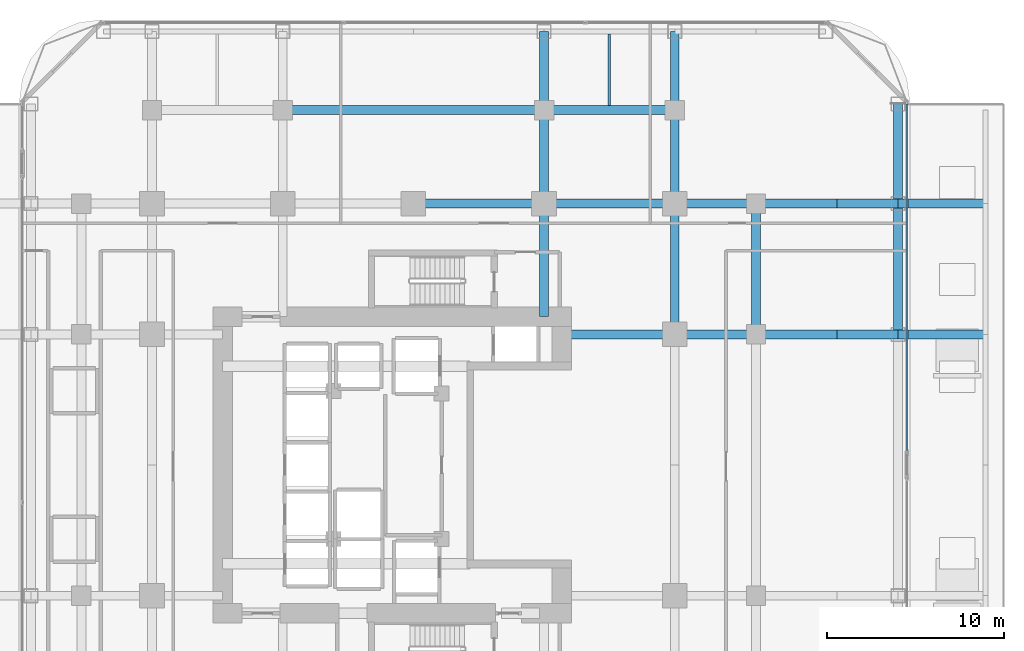
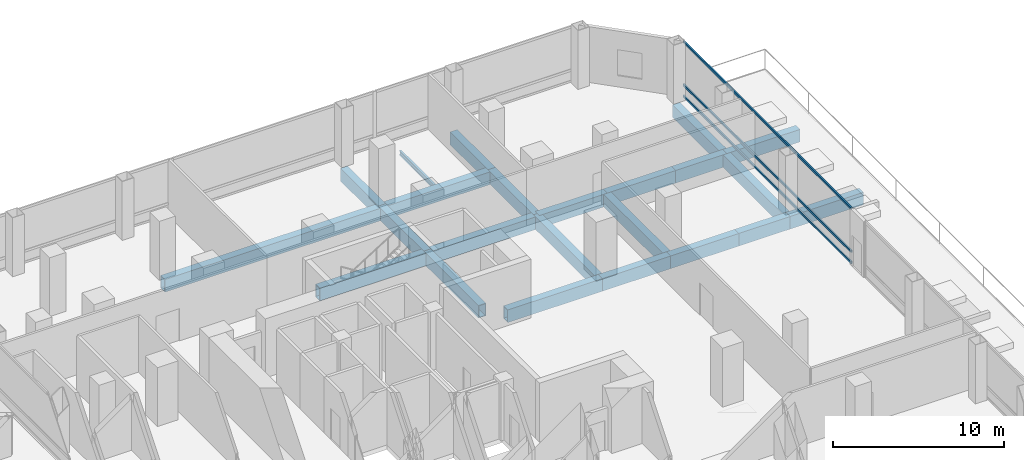
# One storey, part 16 of 29: 23 beams, 3 members, 1 element without a shape of its own.
"""IFC4 building model written with IfcOpenShell, lengths in metres."""

from ifc_helpers import new_model, si_unit, direction, frame, origin, origin_2d, place, context, subcontext, project, spatial, hollow_rectangle, i_section, extrude, material, layer, layer_set, material_profile, profile_set, type_object, element, aggregate, save


model = new_model("IFC4")

# Units and contexts
model_context = context("Model", 3, precision=1e-05, world=origin(), true_north=direction((0.0, 1.0)))
body_context = subcontext(model_context, "Body", "Model", "MODEL_VIEW")
ifc_project = project(units=[si_unit("LENGTHUNIT", "METRE"), si_unit("AREAUNIT", "SQUARE_METRE"), si_unit("VOLUMEUNIT", "CUBIC_METRE"), si_unit("PLANEANGLEUNIT", "RADIAN"), si_unit("MASSUNIT", "GRAM", prefix="KILO")], contexts=[model_context])

# Site, building, storey
site_placement = place(None, origin())
site = spatial("IfcSite", under=ifc_project, at=site_placement, CompositionType="ELEMENT")
building_placement = place(site_placement, origin())
building = spatial("IfcBuilding", under=site, at=building_placement, Name="Khorvyn Point Tower", CompositionType="ELEMENT")
storey_placement = place(building_placement, frame((0.0, 0.0, 26.39990234375)))
storey = spatial("IfcBuildingStorey", under=building, at=storey_placement, Name="L07", CompositionType="ELEMENT", Elevation=26.39990234375)

# Curtain wall, members
ifc_material_1 = material(Name="Anodised aluminium 6063-T6 and laminated Low-E glass", Category="aluminium")
ifc_layer = layer(ifc_material_1, 0.18994140625)
ifc_layer_set = layer_set([ifc_layer], Name="Stick-Built Finned Residential Curtain Wall CW-SYS-02")
curtain_wall_type = type_object("IfcCurtainWallType", Name="Stick-Built Finned Residential Curtain Wall CW-SYS-02", PredefinedType="NOTDEFINED", material=ifc_layer_set)
curtain_wall_placement = place(storey_placement, origin())
curtain_wall = element("IfcCurtainWall", 1, at=curtain_wall_placement, inside=storey, type_object=curtain_wall_type, Name="Curtain Wall", PredefinedType="NOTDEFINED")
ifc_material_2 = material(Name="Anodised aluminium 6063-T6", Category="aluminium")
ifc_material_profile_1 = material_profile(ifc_material_2, hollow_rectangle(XDim=0.10009765625, YDim=0.159912109375, WallThickness=0.00439453125, at=origin_2d()))
ifc_profile_set_1 = profile_set([ifc_material_profile_1], Name="Anodised aluminium 6063-T6 ALU-TRN-100x160")
member_type = type_object("IfcMemberType", Name="Anodised Aluminium 6063-T6 Transom ALU-TRN-100x160", PredefinedType="USERDEFINED", material=ifc_profile_set_1)
member_1_placement = place(storey_placement, frame((27.949951171875, 20.449951171875, 0.050048828125), z_axis=(0.0, -1.0, 0.0), x_axis=(1.0, 0.0, 0.0)))
member_1 = element("IfcMember", 2, at=member_1_placement, type_object=member_type, Name="Transom", ObjectType="TRANSOM", PredefinedType="USERDEFINED", context=body_context, shape_type="SweptSolid", body=[
    extrude(hollow_rectangle(XDim=0.10009765625, YDim=0.159912109375, WallThickness=0.00439453125, at=origin_2d()), origin(), (0.0, 0.0, 1.0), 19.6298828125),
])
member_2_placement = place(storey_placement, frame((27.949951171875, 20.449951171875, 0.85009765625), z_axis=(0.0, -1.0, 0.0), x_axis=(1.0, 0.0, 0.0)))
member_2 = element("IfcMember", 3, at=member_2_placement, type_object=member_type, Name="Transom", ObjectType="TRANSOM", PredefinedType="USERDEFINED", context=body_context, shape_type="SweptSolid", body=[
    extrude(hollow_rectangle(XDim=0.10009765625, YDim=0.159912109375, WallThickness=0.00439453125, at=origin_2d()), origin(), (0.0, 0.0, 1.0), 19.6298828125),
])
member_3_placement = place(storey_placement, frame((27.949951171875, 20.449951171875, 3.93017578125), z_axis=(0.0, -1.0, 0.0), x_axis=(1.0, 0.0, 0.0)))
member_3 = element("IfcMember", 4, at=member_3_placement, type_object=member_type, Name="Transom", ObjectType="TRANSOM", PredefinedType="USERDEFINED", context=body_context, shape_type="SweptSolid", body=[
    extrude(hollow_rectangle(XDim=0.10009765625, YDim=0.159912109375, WallThickness=0.00439453125, at=origin_2d()), origin(), (0.0, 0.0, 1.0), 19.6298828125),
])
aggregate(curtain_wall, [member_1, member_2, member_3])

# Beams
ifc_material_3 = material(Name="Steel S355", Category="steel")
ifc_material_profile_2 = material_profile(ifc_material_3, i_section(OverallWidth=0.14990234375, OverallDepth=0.300048828125, WebThickness=0.006591796875, FlangeThickness=0.009033203125, at=origin_2d()))
ifc_profile_set_2 = profile_set([ifc_material_profile_2], Name="Steel S355 H300x150x6.5x9")
beam_type_1 = type_object("IfcBeamType", Name="Steel S355 Joist H300x150x6.5x9", PredefinedType="JOIST", material=ifc_profile_set_2)
beam_1_placement = place(storey_placement, frame((11.10009765625, 20.35009765625, -0.469970703125), z_axis=(0.0, 1.0, 0.0), x_axis=(-1.0, 0.0, 0.0)))
element("IfcBeam", 5, at=beam_1_placement, inside=storey, type_object=beam_type_1, Name="Beam", PredefinedType="JOIST", context=body_context, shape_type="SweptSolid", body=[
    extrude(i_section(OverallWidth=0.14990234375, OverallDepth=0.300048828125, WebThickness=0.006591796875, FlangeThickness=0.009033203125, at=origin_2d()), origin(), (0.0, 0.0, 1.0), 4.0498046875),
])
ifc_material_4 = material(Name="Steel S450", Category="steel")
ifc_material_profile_3 = material_profile(ifc_material_4, hollow_rectangle(XDim=0.5, YDim=0.89990234375, WallThickness=0.0400390625, at=origin_2d()))
ifc_profile_set_3 = profile_set([ifc_material_profile_3], Name="Steel S450 BOX900x500x40")
beam_type_2 = type_object("IfcBeamType", Name="Steel S450 Beam BOX900x500x40", PredefinedType="BEAM", material=ifc_profile_set_3)
for number, where, z_axis, x_axis, name in (
    (6, (27.449951171875, 7.39990234375, -0.77001953125), (1.0, 0.0, 0.0), (0.0, 1.0, 0.0), "Beam"),
    (7, (27.449951171875, 14.800048828125, -0.77001953125), (1.0, 0.0, 0.0), (0.0, 1.0, 0.0), "Beam"),
):
    element("IfcBeam", number, at=place(storey_placement, frame(where, z_axis=z_axis, x_axis=x_axis)), inside=storey, type_object=beam_type_2, Name=name, PredefinedType="BEAM", context=body_context, shape_type="SweptSolid", body=[
        extrude(hollow_rectangle(XDim=0.5, YDim=0.89990234375, WallThickness=0.0400390625, at=origin_2d()), origin(), (0.0, 0.0, 1.0), 4.949951171875),
    ])
beam_2_placement = place(storey_placement, frame((27.449951171875, 7.39990234375, -0.77001953125), z_axis=(0.0, 1.0, 0.0), x_axis=(-1.0, 0.0, 0.0)))
element("IfcBeam", 8, at=beam_2_placement, inside=storey, type_object=beam_type_2, Name="Beam", PredefinedType="BEAM", context=body_context, shape_type="SweptSolid", body=[
    extrude(hollow_rectangle(XDim=0.5, YDim=0.89990234375, WallThickness=0.0400390625, at=origin_2d()), origin(), (0.0, 0.0, 1.0), 7.400146484375),
])
beam_3_placement = place(storey_placement, frame((27.449951171875, 14.800048828125, -0.77001953125), z_axis=(0.0, 1.0, 0.0), x_axis=(-1.0, 0.0, 0.0)))
element("IfcBeam", 9, at=beam_3_placement, inside=storey, type_object=beam_type_2, Name="Beam", PredefinedType="BEAM", context=body_context, shape_type="SweptSolid", body=[
    extrude(hollow_rectangle(XDim=0.5, YDim=0.89990234375, WallThickness=0.0400390625, at=origin_2d()), origin(), (0.0, 0.0, 1.0), 5.64990234375),
])
beam_4_placement = place(storey_placement, frame((0.0, 14.800048828125, -0.77001953125), z_axis=(1.0, 0.0, 0.0), x_axis=(0.0, 1.0, 0.0)))
element("IfcBeam", 10, at=beam_4_placement, inside=storey, type_object=beam_type_2, Name="L07 Radial Transfer Girder", PredefinedType="BEAM", context=body_context, shape_type="SweptSolid", body=[
    extrude(hollow_rectangle(XDim=0.5, YDim=0.89990234375, WallThickness=0.0400390625, at=origin_2d()), origin(), (0.0, 0.0, 1.0), 7.39990234375),
])
beam_5_placement = place(storey_placement, frame((7.39990234375, 14.800048828125, -0.77001953125), z_axis=(1.0, 0.0, 0.0), x_axis=(0.0, 1.0, 0.0)))
element("IfcBeam", 11, at=beam_5_placement, inside=storey, type_object=beam_type_2, Name="L07 Radial Transfer Girder", PredefinedType="BEAM", context=body_context, shape_type="SweptSolid", body=[
    extrude(hollow_rectangle(XDim=0.5, YDim=0.89990234375, WallThickness=0.0400390625, at=origin_2d()), origin(), (0.0, 0.0, 1.0), 7.400146484375),
])
beam_6_placement = place(storey_placement, frame((14.800048828125, 14.800048828125, -0.77001953125), z_axis=(1.0, 0.0, 0.0), x_axis=(0.0, 1.0, 0.0)))
element("IfcBeam", 12, at=beam_6_placement, inside=storey, type_object=beam_type_2, Name="L07 Radial Transfer Girder", PredefinedType="BEAM", context=body_context, shape_type="SweptSolid", body=[
    extrude(hollow_rectangle(XDim=0.5, YDim=0.89990234375, WallThickness=0.0400390625, at=origin_2d()), origin(), (0.0, 0.0, 1.0), 4.599853515625),
])
beam_7_placement = place(storey_placement, frame((19.39990234375, 14.800048828125, -0.77001953125), z_axis=(1.0, 0.0, 0.0), x_axis=(0.0, 1.0, 0.0)))
element("IfcBeam", 13, at=beam_7_placement, inside=storey, type_object=beam_type_2, Name="L07 Radial Transfer Girder", PredefinedType="BEAM", context=body_context, shape_type="SweptSolid", body=[
    extrude(hollow_rectangle(XDim=0.5, YDim=0.89990234375, WallThickness=0.0400390625, at=origin_2d()), origin(), (0.0, 0.0, 1.0), 4.60009765625),
])
beam_8_placement = place(storey_placement, frame((24.0, 14.800048828125, -0.77001953125), z_axis=(1.0, 0.0, 0.0), x_axis=(0.0, 1.0, 0.0)))
element("IfcBeam", 14, at=beam_8_placement, inside=storey, type_object=beam_type_2, Name="L07 Radial Transfer Girder", PredefinedType="BEAM", context=body_context, shape_type="SweptSolid", body=[
    extrude(hollow_rectangle(XDim=0.5, YDim=0.89990234375, WallThickness=0.0400390625, at=origin_2d()), origin(), (0.0, 0.0, 1.0), 3.449951171875),
])
beam_9_placement = place(storey_placement, frame((8.39990234375, 7.39990234375, -0.77001953125), z_axis=(1.0, 0.0, 0.0), x_axis=(0.0, 1.0, 0.0)))
element("IfcBeam", 15, at=beam_9_placement, inside=storey, type_object=beam_type_2, Name="Beam", PredefinedType="BEAM", context=body_context, shape_type="SweptSolid", body=[
    extrude(hollow_rectangle(XDim=0.5, YDim=0.89990234375, WallThickness=0.0400390625, at=origin_2d()), origin(), (0.0, 0.0, 1.0), 6.400146484375),
])
beam_10_placement = place(storey_placement, frame((14.800048828125, 7.39990234375, -0.77001953125), z_axis=(1.0, 0.0, 0.0), x_axis=(0.0, 1.0, 0.0)))
element("IfcBeam", 16, at=beam_10_placement, inside=storey, type_object=beam_type_2, Name="Beam", PredefinedType="BEAM", context=body_context, shape_type="SweptSolid", body=[
    extrude(hollow_rectangle(XDim=0.5, YDim=0.89990234375, WallThickness=0.0400390625, at=origin_2d()), origin(), (0.0, 0.0, 1.0), 4.599853515625),
])
beam_11_placement = place(storey_placement, frame((19.39990234375, 7.39990234375, -0.77001953125), z_axis=(1.0, 0.0, 0.0), x_axis=(0.0, 1.0, 0.0)))
element("IfcBeam", 17, at=beam_11_placement, inside=storey, type_object=beam_type_2, Name="Beam", PredefinedType="BEAM", context=body_context, shape_type="SweptSolid", body=[
    extrude(hollow_rectangle(XDim=0.5, YDim=0.89990234375, WallThickness=0.0400390625, at=origin_2d()), origin(), (0.0, 0.0, 1.0), 4.60009765625),
])
beam_12_placement = place(storey_placement, frame((24.0, 7.39990234375, -0.77001953125), z_axis=(1.0, 0.0, 0.0), x_axis=(0.0, 1.0, 0.0)))
element("IfcBeam", 18, at=beam_12_placement, inside=storey, type_object=beam_type_2, Name="Beam", PredefinedType="BEAM", context=body_context, shape_type="SweptSolid", body=[
    extrude(hollow_rectangle(XDim=0.5, YDim=0.89990234375, WallThickness=0.0400390625, at=origin_2d()), origin(), (0.0, 0.0, 1.0), 3.449951171875),
])
beam_13_placement = place(storey_placement, frame((-7.39990234375, 20.10009765625, -0.77001953125), z_axis=(1.0, 0.0, 0.0), x_axis=(0.0, 1.0, 0.0)))
element("IfcBeam", 19, at=beam_13_placement, inside=storey, type_object=beam_type_2, Name="Beam", PredefinedType="BEAM", context=body_context, shape_type="SweptSolid", body=[
    extrude(hollow_rectangle(XDim=0.5, YDim=0.89990234375, WallThickness=0.0400390625, at=origin_2d()), origin(), (0.0, 0.0, 1.0), 14.7998046875),
])
for number, where, z_axis, x_axis, name in (
    (20, (7.39990234375, 20.10009765625, -0.77001953125), (1.0, 0.0, 0.0), (0.0, 1.0, 0.0), "Beam"),
    (21, (14.800048828125, 7.39990234375, -0.77001953125), (0.0, 1.0, 0.0), (-1.0, 0.0, 0.0), "L07 Radial Transfer Girder"),
):
    element("IfcBeam", number, at=place(storey_placement, frame(where, z_axis=z_axis, x_axis=x_axis)), inside=storey, type_object=beam_type_2, Name=name, PredefinedType="BEAM", context=body_context, shape_type="SweptSolid", body=[
        extrude(hollow_rectangle(XDim=0.5, YDim=0.89990234375, WallThickness=0.0400390625, at=origin_2d()), origin(), (0.0, 0.0, 1.0), 7.400146484375),
    ])
beam_14_placement = place(storey_placement, frame((14.800048828125, 14.800048828125, -0.77001953125), z_axis=(0.0, 1.0, 0.0), x_axis=(-1.0, 0.0, 0.0)))
element("IfcBeam", 22, at=beam_14_placement, inside=storey, type_object=beam_type_2, Name="L07 Radial Transfer Girder", PredefinedType="BEAM", context=body_context, shape_type="SweptSolid", body=[
    extrude(hollow_rectangle(XDim=0.5, YDim=0.89990234375, WallThickness=0.0400390625, at=origin_2d()), origin(), (0.0, 0.0, 1.0), 5.300048828125),
])
beam_15_placement = place(storey_placement, frame((14.800048828125, 20.10009765625, -0.77001953125), z_axis=(0.0, 1.0, 0.0), x_axis=(-1.0, 0.0, 0.0)))
element("IfcBeam", 23, at=beam_15_placement, inside=storey, type_object=beam_type_2, Name="L07 Radial Transfer Girder", PredefinedType="BEAM", context=body_context, shape_type="SweptSolid", body=[
    extrude(hollow_rectangle(XDim=0.5, YDim=0.89990234375, WallThickness=0.0400390625, at=origin_2d()), origin(), (0.0, 0.0, 1.0), 4.449951171875),
])
beam_16_placement = place(storey_placement, frame((7.39990234375, 8.39990234375, -0.77001953125), z_axis=(0.0, 1.0, 0.0), x_axis=(-1.0, 0.0, 0.0)))
element("IfcBeam", 24, at=beam_16_placement, inside=storey, type_object=beam_type_2, Name="Beam", PredefinedType="BEAM", context=body_context, shape_type="SweptSolid", body=[
    extrude(hollow_rectangle(XDim=0.5, YDim=0.89990234375, WallThickness=0.0400390625, at=origin_2d()), origin(), (0.0, 0.0, 1.0), 6.400146484375),
])
beam_17_placement = place(storey_placement, frame((7.39990234375, 14.800048828125, -0.77001953125), z_axis=(0.0, 1.0, 0.0), x_axis=(-1.0, 0.0, 0.0)))
element("IfcBeam", 25, at=beam_17_placement, inside=storey, type_object=beam_type_2, Name="Beam", PredefinedType="BEAM", context=body_context, shape_type="SweptSolid", body=[
    extrude(hollow_rectangle(XDim=0.5, YDim=0.89990234375, WallThickness=0.0400390625, at=origin_2d()), origin(), (0.0, 0.0, 1.0), 5.300048828125),
])
beam_18_placement = place(storey_placement, frame((7.39990234375, 20.10009765625, -0.77001953125), z_axis=(0.0, 1.0, 0.0), x_axis=(-1.0, 0.0, 0.0)))
element("IfcBeam", 26, at=beam_18_placement, inside=storey, type_object=beam_type_2, Name="Beam", PredefinedType="BEAM", context=body_context, shape_type="SweptSolid", body=[
    extrude(hollow_rectangle(XDim=0.5, YDim=0.89990234375, WallThickness=0.0400390625, at=origin_2d()), origin(), (0.0, 0.0, 1.0), 4.449951171875),
])
beam_19_placement = place(storey_placement, frame((19.39990234375, 7.39990234375, -0.77001953125), z_axis=(0.0, 1.0, 0.0), x_axis=(-1.0, 0.0, 0.0)))
element("IfcBeam", 27, at=beam_19_placement, inside=storey, type_object=beam_type_2, Name="Beam", PredefinedType="BEAM", context=body_context, shape_type="SweptSolid", body=[
    extrude(hollow_rectangle(XDim=0.5, YDim=0.89990234375, WallThickness=0.0400390625, at=origin_2d()), origin(), (0.0, 0.0, 1.0), 7.400146484375),
])

save(model, "model.ifc")
